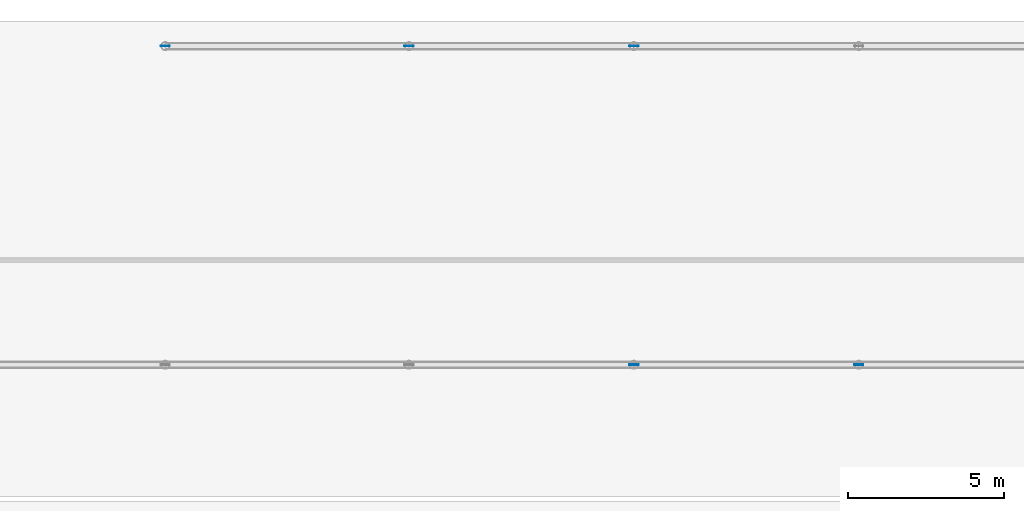
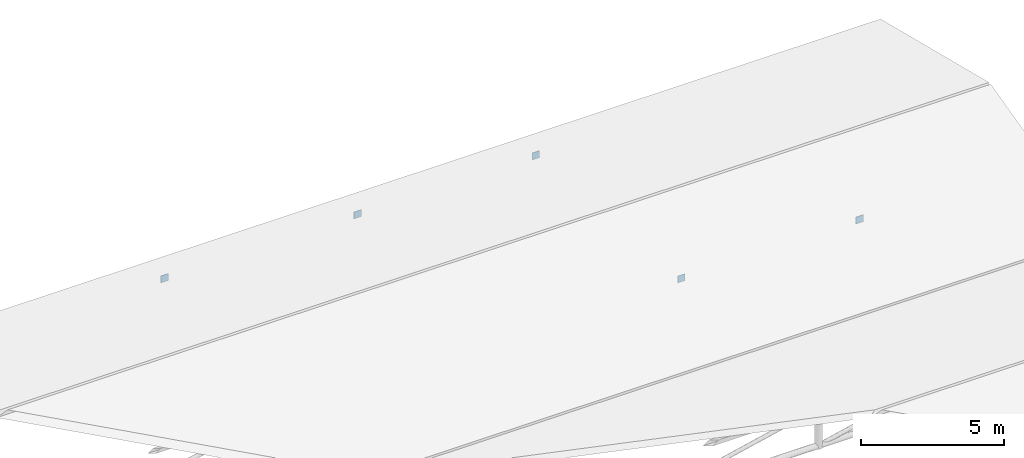
# One storey, part 75 of 91: 5 plates.
"""IFC4 building model written with IfcOpenShell, lengths in metres."""

from ifc_helpers import new_model, si_unit, direction, frame, origin, origin_2d, place, context, subcontext, project, spatial, rectangle, extrude, material, layer, layer_set, type_object, element, save


model = new_model("IFC4")

# Units and contexts
model_context = context("Model", 3, precision=1e-05, world=origin(), true_north=direction((0.0, 1.0)))
body_context = subcontext(model_context, "Body", "Model", "MODEL_VIEW")
ifc_project = project(units=[si_unit("LENGTHUNIT", "METRE"), si_unit("AREAUNIT", "SQUARE_METRE"), si_unit("VOLUMEUNIT", "CUBIC_METRE"), si_unit("PLANEANGLEUNIT", "RADIAN"), si_unit("MASSUNIT", "GRAM", prefix="KILO")], contexts=[model_context])

# Site, building, storey
site_placement = place(None, origin())
site = spatial("IfcSite", under=ifc_project, at=site_placement, CompositionType="ELEMENT")
building_placement = place(site_placement, origin())
building = spatial("IfcBuilding", under=site, at=building_placement, Name="Valcora Specialist Clinic", CompositionType="ELEMENT")
storey_placement = place(building_placement, frame((0.0, 0.0, 13.60009765625)))
storey = spatial("IfcBuildingStorey", under=building, at=storey_placement, Name="L03", CompositionType="ELEMENT", Elevation=13.60009765625)

# Plates
ifc_material = material(Name="Steel ASTM A572 Grade 50", Category="steel")
ifc_layer = layer(ifc_material, 0.02001953125)
ifc_layer_set = layer_set([ifc_layer], Name="Steel ASTM A572 Grade 50")
plate_type = type_object("IfcPlateType", Name="TY-PL-EC273", PredefinedType="USERDEFINED", material=ifc_layer_set)
for number, where, z_axis, x_axis, name in (
    (1, (31.199951171875, 99.800048828125, 1.2431640625), (0.0, 0.0, 1.0), (1.0, 0.0, 0.0), "Stub post end-cap plate COL-RFV2-312-998"),
    (2, (38.39990234375, 99.800048828125, 1.2431640625), (0.0, 0.0, 1.0), (1.0, 0.0, 0.0), "Stub post end-cap plate COL-RFV2-384-998"),
    (3, (16.199951171875, 110.0, 0.314453125), (0.0, 0.0, 1.0), (1.0, 0.0, 0.0), "Stub post end-cap plate COL-RFV2-162-1100"),
    (4, (24.0, 110.0, 0.314453125), (0.0, 0.0, 1.0), (1.0, 0.0, 0.0), "Stub post end-cap plate COL-RFV2-240-1100"),
    (5, (31.199951171875, 110.0, 0.314453125), (0.0, 0.0, 1.0), (1.0, 0.0, 0.0), "Stub post end-cap plate COL-RFV2-312-1100"),
):
    element("IfcPlate", number, at=place(storey_placement, frame(where, z_axis=z_axis, x_axis=x_axis)), inside=storey, type_object=plate_type, Name=name, ObjectType="FLANGE_PLATE", PredefinedType="USERDEFINED", context=body_context, shape_type="SweptSolid", body=[
        extrude(rectangle(XDim=0.300048828125, YDim=0.02001953125, at=origin_2d()), origin(), (0.0, 0.0, 1.0), 0.300048828125),
    ])

save(model, "model.ifc")
